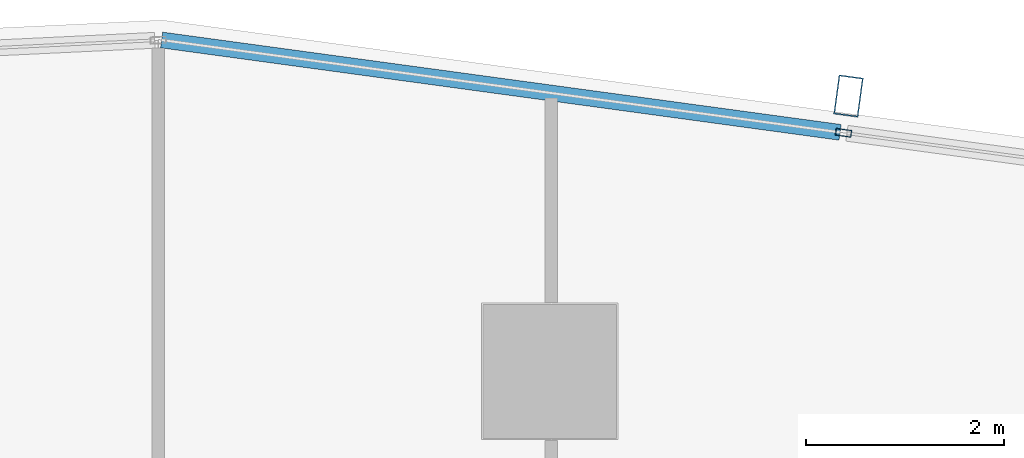
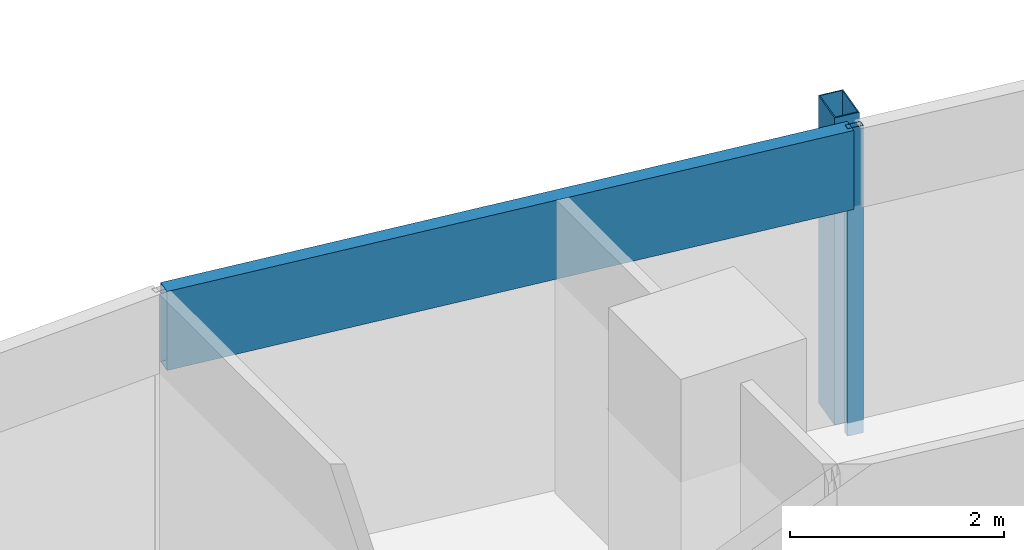
# One storey, part 19 of 35: 3 members, 1 element without a shape of its own.
"""IFC4 building model written with IfcOpenShell, lengths in metres."""

import ifcopenshell
import ifcopenshell.guid

model = None  # the IFC model being written
_history = None  # IfcOwnerHistory: only IFC2X3 demands one
_inside = {}  # id of a spatial element -> (the spatial element, [elements in it])
_under = {}  # id of a project, library or spatial element -> (it, [spatial elements below it])
_declared = {}  # id of a project -> (the project, [libraries it declares])
_typed = {}  # id of a type object -> (the type object, [elements of that type])
_made_of = {}  # id of a material, layer set ... -> (it, [elements and type objects made of it])


def new_model(schema):
    """Start an empty IFC model of exactly this schema.

    Asked for "IFC4X3", IfcOpenShell would pick the latest addendum, in which some entities
    have other attributes; the version numbers below select the first issue.
    IFC2X3 requires an IfcOwnerHistory on every rooted entity: one is made here for all.
    """
    global model, _history
    if schema == "IFC4X3":
        model = ifcopenshell.file(schema_version=(4, 3, 0, 0))
    else:
        model = ifcopenshell.file(schema=schema)
    _inside.clear()
    _under.clear()
    _declared.clear()
    _typed.clear()
    _made_of.clear()
    _history = None
    if model.schema == "IFC2X3":
        org = make("IfcOrganization", Name="unknown")
        user = make(
            "IfcPersonAndOrganization",
            ThePerson=make("IfcPerson", FamilyName="unknown"),
            TheOrganization=org,
        )
        app = make(
            "IfcApplication",
            ApplicationDeveloper=org,
            Version="unknown",
            ApplicationFullName="unknown",
            ApplicationIdentifier="unknown",
        )
        _history = make(
            "IfcOwnerHistory",
            OwningUser=user,
            OwningApplication=app,
            ChangeAction="ADDED",
            CreationDate=0,
        )
    return model


def make(cls, **values):
    """One entity of the class cls with the attributes given. An attribute that is None is left unset."""
    return model.create_entity(
        cls, **{name: value for name, value in values.items() if value is not None}
    )


def rooted(cls, **values):
    """An entity with a GlobalId (a new one), such as an element, a storey or a relation."""
    return make(cls, GlobalId=ifcopenshell.guid.new(), OwnerHistory=_history, **values)


def si_unit(unit_type, name, prefix=None):
    """IfcSIUnit, for example si_unit("LENGTHUNIT", "METRE", prefix="MILLI")."""
    return make("IfcSIUnit", UnitType=unit_type, Prefix=prefix, Name=name)


def assignment(units):
    """IfcUnitAssignment: the units of a project."""
    return None if units is None else make("IfcUnitAssignment", Units=units)


def point(xyz):
    """IfcCartesianPoint."""
    return None if xyz is None else make("IfcCartesianPoint", Coordinates=xyz)


def direction(xyz):
    """IfcDirection."""
    return None if xyz is None else make("IfcDirection", DirectionRatios=xyz)


def frame(location, z_axis=None, x_axis=None):
    """IfcAxis2Placement3D, a coordinate frame: its origin and axes. An axis left out is left unset."""
    return make(
        "IfcAxis2Placement3D",
        Location=point(location),
        Axis=direction(z_axis),
        RefDirection=direction(x_axis),
    )


def frame_2d(location, x_axis=None):
    """IfcAxis2Placement2D, a coordinate frame in the plane: its origin and x axis."""
    return make(
        "IfcAxis2Placement2D", Location=point(location), RefDirection=direction(x_axis)
    )


def origin():
    """The frame at (0, 0, 0) with its axes left unset."""
    return frame((0.0, 0.0, 0.0))


def origin_2d():
    """The frame at (0, 0) in the plane with its x axis left unset."""
    return frame_2d((0.0, 0.0))


def place(relative_to, where):
    """IfcLocalPlacement: puts the frame where relative to a parent placement (None: the world)."""
    return make(
        "IfcLocalPlacement", PlacementRelTo=relative_to, RelativePlacement=where
    )


def context(
    kind, dimensions, precision=None, world=None, true_north=None, identifier=None
):
    """IfcGeometricRepresentationContext, for example the 3D "Model" context."""
    return make(
        "IfcGeometricRepresentationContext",
        ContextIdentifier=identifier,
        ContextType=kind,
        CoordinateSpaceDimension=dimensions,
        Precision=precision,
        WorldCoordinateSystem=world,
        TrueNorth=true_north,
    )


def subcontext(parent, identifier, kind, view, scale=None):
    """IfcGeometricRepresentationSubContext, for example "Body" below "Model"."""
    return make(
        "IfcGeometricRepresentationSubContext",
        ContextIdentifier=identifier,
        ContextType=kind,
        ParentContext=parent,
        TargetScale=scale,
        TargetView=view,
    )


def project(units=None, contexts=None):
    """IfcProject with its units and contexts."""
    return rooted(
        "IfcProject",
        Name="project",
        RepresentationContexts=contexts,
        UnitsInContext=assignment(units),
    )


def spatial(cls, under=None, at=None, **own):
    """A site, building, storey or space (cls), placed at a placement, below another one or the project."""
    s = rooted(cls, ObjectPlacement=at, **own)
    if under is not None:
        _under.setdefault(under.id(), (under, []))[1].append(s)
    return s


def profile(cls, at=None, kind="AREA", **sizes):
    """A parametric profile (cls). Its sizes go by their IFC names, for example OverallWidth=200.0."""
    return make(cls, ProfileType=kind, Position=at, **sizes)


def hollow_rectangle(**sizes):
    """IfcRectangleHollowProfileDef."""
    return profile("IfcRectangleHollowProfileDef", **sizes)


def extrude(swept, where, along, depth):
    """IfcExtrudedAreaSolid: the profile swept, set in the frame where, extruded along a direction by depth."""
    return make(
        "IfcExtrudedAreaSolid",
        SweptArea=swept,
        Position=where,
        ExtrudedDirection=direction(along),
        Depth=depth,
    )


def shape(context_of_items, identifier, shape_type, items):
    """IfcShapeRepresentation: the items that make up one representation, for example the "Body"."""
    return make(
        "IfcShapeRepresentation",
        ContextOfItems=context_of_items,
        RepresentationIdentifier=identifier,
        RepresentationType=shape_type,
        Items=items,
    )


def material(Name=None, Category=None):
    """IfcMaterial."""
    return make("IfcMaterial", Name=Name, Category=Category)


def material_profile(
    of_material, cross_section, Name=None, Category=None, Priority=None
):
    """IfcMaterialProfile: a cross section and its material."""
    return make(
        "IfcMaterialProfile",
        Name=Name,
        Material=of_material,
        Profile=cross_section,
        Priority=Priority,
        Category=Category,
    )


def profile_set(profiles, Name=None, composite=None):
    """IfcMaterialProfileSet."""
    return make(
        "IfcMaterialProfileSet",
        Name=Name,
        MaterialProfiles=profiles,
        CompositeProfile=composite,
    )


def made_of(thing, what):
    """Note that an element or type object is made of a material, layer set ...; save() writes the relation."""
    if what is not None:
        _made_of.setdefault(what.id(), (what, []))[1].append(thing)
    return thing


def type_object(cls, material=None, **own):
    """A type object (cls), such as IfcWallType, which elements share."""
    return made_of(rooted(cls, **own), material)


def element(
    cls,
    number,
    at=None,
    inside=None,
    cuts=None,
    type_object=None,
    material=None,
    context=None,
    identifier="Body",
    shape_type=None,
    held_by="IfcProductDefinitionShape",
    body=None,
    shapes=None,
    **own,
):
    """One element of the class cls, such as IfcWall. Its Tag is "e" and its number.

    at: its placement. inside: the storey or other place that contains it. cuts: it is an
    opening in that element (IfcRelVoidsElement). A single representation is given by context,
    identifier, shape_type and body (its items); several are given by shapes. held_by: the class
    of the entity that holds the representations. save() writes the other relations.
    """
    e = rooted(cls, Tag="e%d" % number, ObjectPlacement=at, **own)
    if body is not None:
        shapes = [shape(context, identifier, shape_type, body)]
    if shapes is not None:
        e.Representation = make(held_by, Representations=shapes)
    if inside is not None:
        _inside.setdefault(inside.id(), (inside, []))[1].append(e)
    if cuts is not None:
        rooted(
            "IfcRelVoidsElement", RelatingBuildingElement=cuts, RelatedOpeningElement=e
        )
    if type_object is not None:
        _typed.setdefault(type_object.id(), (type_object, []))[1].append(e)
    return made_of(e, material)


def aggregate(whole, parts):
    """IfcRelAggregates: a whole, such as a stair, and the parts it consists of."""
    return rooted("IfcRelAggregates", RelatingObject=whole, RelatedObjects=parts)


def save(model, path):
    """Write the relations noted so far, then the file.

    IfcRelAggregates (storeys below a building ...), IfcRelContainedInSpatialStructure (elements
    in a storey), IfcRelDefinesByType, IfcRelAssociatesMaterial and IfcRelDeclares: one each for
    every whole, place, type object, material and project.
    """
    for whole, parts in _under.values():
        aggregate(whole, parts)
    for where, things in _inside.values():
        rooted(
            "IfcRelContainedInSpatialStructure",
            RelatedElements=things,
            RelatingStructure=where,
        )
    for kind, things in _typed.values():
        rooted("IfcRelDefinesByType", RelatedObjects=things, RelatingType=kind)
    for what, things in _made_of.values():
        rooted("IfcRelAssociatesMaterial", RelatedObjects=things, RelatingMaterial=what)
    for by, libraries in _declared.values():
        rooted("IfcRelDeclares", RelatingContext=by, RelatedDefinitions=libraries)
    model.write(path)


model = new_model("IFC4")

# Units and contexts
model_context = context("Model", 3, precision=1e-05, world=origin(), true_north=direction((0.0, 1.0)))
body_context = subcontext(model_context, "Body", "Model", "MODEL_VIEW")
ifc_project = project(units=[si_unit("LENGTHUNIT", "METRE"), si_unit("AREAUNIT", "SQUARE_METRE"), si_unit("VOLUMEUNIT", "CUBIC_METRE"), si_unit("PLANEANGLEUNIT", "RADIAN"), si_unit("MASSUNIT", "GRAM", prefix="KILO")], contexts=[model_context])

# Site, building, storey
site_placement = place(None, origin())
site = spatial("IfcSite", under=ifc_project, at=site_placement, CompositionType="ELEMENT")
building_placement = place(site_placement, origin())
building = spatial("IfcBuilding", under=site, at=building_placement, Name="Rekha Terrace Tower", CompositionType="ELEMENT")
storey_placement = place(building_placement, frame((0.0, 0.0, 191.449951171875)))
storey = spatial("IfcBuildingStorey", under=building, at=storey_placement, Name="L48", CompositionType="ELEMENT", Elevation=191.449951171875)

# Curtain wall, members
ifc_material_1 = material(Name="Aluminium framing", Category="aluminium")
curtain_wall_type = type_object("IfcCurtainWallType", Name="CW3 north unitised glazing", PredefinedType="USERDEFINED", material=ifc_material_1)
curtain_wall_placement = place(storey_placement, origin())
curtain_wall = element("IfcCurtainWall", 1, at=curtain_wall_placement, inside=storey, type_object=curtain_wall_type, Name="CW3 unitised curtain wall", ObjectType="UNITISED CURTAIN WALL", PredefinedType="USERDEFINED")
ifc_material_2 = material(Name="Steel S355 with fluorocarbon finish", Category="steel")
ifc_material_profile_1 = material_profile(ifc_material_2, hollow_rectangle(XDim=0.25, YDim=0.39990234375, WallThickness=0.012451171875, at=origin_2d()), Name="RHS400x250x12.5")
ifc_profile_set_1 = profile_set([ifc_material_profile_1], Name="Steel S355 with fluorocarbon finish")
member_type_1 = type_object("IfcMemberType", Name="BL1 facade blade RHS 400 x 250", PredefinedType="USERDEFINED", material=ifc_profile_set_1)
member_1_placement = place(storey_placement, frame((53.419921875, 61.583251953125, 0.0), z_axis=(0.0, 0.0, 1.0), x_axis=(-0.990867309488, 0.134840553943, 0.0)))
member_1 = element("IfcMember", 2, at=member_1_placement, type_object=member_type_1, Name="Facade blade", ObjectType="FACADE BLADE", PredefinedType="USERDEFINED", context=body_context, shape_type="SweptSolid", body=[
    extrude(hollow_rectangle(XDim=0.25, YDim=0.39990234375, WallThickness=0.012451171875, at=origin_2d()), origin(), (0.0, 0.0, 1.0), 3.5),
])
ifc_material_3 = material(Name="Aluminium mullion section", Category="aluminium")
ifc_material_profile_2 = material_profile(ifc_material_3, hollow_rectangle(XDim=0.070068359375, YDim=0.159912109375, WallThickness=0.00390625, at=origin_2d()), Name="AL RHS 70x160")
ifc_profile_set_2 = profile_set([ifc_material_profile_2], Name="Aluminium mullion section")
member_type_2 = type_object("IfcMemberType", Name="CW3 mullion RHS 70 x 160", PredefinedType="MULLION", material=ifc_profile_set_2)
member_2_placement = place(storey_placement, frame((53.369384765625, 61.211669921875, 0.0), z_axis=(0.0, 0.0, 1.0), x_axis=(-0.134840840416, -0.990867270504, 0.0)))
member_2 = element("IfcMember", 3, at=member_2_placement, type_object=member_type_2, Name="CW3 mullion 2", PredefinedType="MULLION", context=body_context, shape_type="SweptSolid", body=[
    extrude(hollow_rectangle(XDim=0.070068359375, YDim=0.159912109375, WallThickness=0.00390625, at=origin_2d()), origin(), (0.0, 0.0, 1.0), 3.5),
])
ifc_material_4 = material(Name="Insulated aluminium spandrel box", Category="aluminium")
ifc_material_profile_3 = material_profile(ifc_material_4, hollow_rectangle(XDim=0.159912109375, YDim=0.89990234375, WallThickness=0.0029296875, at=origin_2d()), Name="AL SPANDREL BOX 160x900")
ifc_profile_set_3 = profile_set([ifc_material_profile_3], Name="Insulated aluminium spandrel box")
member_type_3 = type_object("IfcMemberType", Name="CW3 spandrel transom 160 x 900", PredefinedType="USERDEFINED", material=ifc_profile_set_3)
member_3_placement = place(storey_placement, frame((53.334716796875, 61.21630859375, 3.050048828125), z_axis=(-0.990863635349, 0.134867550367, 0.0), x_axis=(-0.134867550367, -0.990863635349, 0.0)))
member_3 = element("IfcMember", 4, at=member_3_placement, type_object=member_type_3, Name="CW3 spandrel transom 2", ObjectType="TRANSOM", PredefinedType="USERDEFINED", context=body_context, shape_type="SweptSolid", body=[
    extrude(hollow_rectangle(XDim=0.159912109375, YDim=0.89990234375, WallThickness=0.0029296875, at=origin_2d()), origin(), (0.0, 0.0, 1.0), 6.918701171875),
])
aggregate(curtain_wall, [member_2, member_3, member_1])

save(model, "model.ifc")
